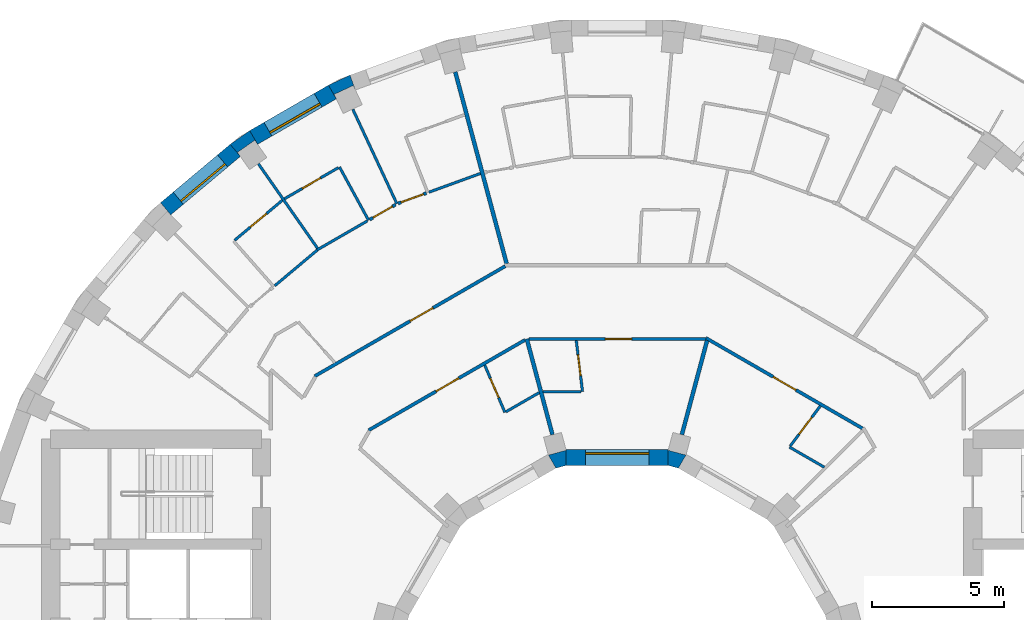
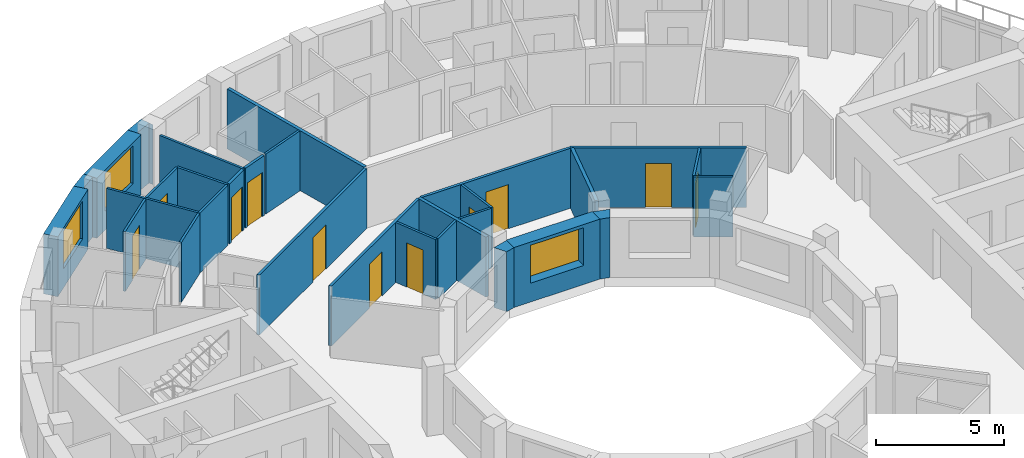
# One storey, part 11 of 15: 30 walls, 11 doors, 3 windows, 14 openings.
"""IFC4 building model written with IfcOpenShell, lengths in metres."""

from ifc_helpers import new_model, si_unit, direction, frame, frame_2d, origin, place, context, subcontext, project, spatial, polyline, rectangle, outline, extrude, material, layer, layer_set, type_object, element, fill, save


model = new_model("IFC4")

# Units and contexts
model_context = context("Model", 3, precision=1e-05, world=origin(), true_north=direction((0.0, 1.0)))
body_context = subcontext(model_context, "Body", "Model", "MODEL_VIEW")
ifc_project = project(units=[si_unit("LENGTHUNIT", "METRE"), si_unit("AREAUNIT", "SQUARE_METRE"), si_unit("VOLUMEUNIT", "CUBIC_METRE"), si_unit("PLANEANGLEUNIT", "RADIAN"), si_unit("MASSUNIT", "GRAM", prefix="KILO")], contexts=[model_context])

# Site, building, storey
site_placement = place(None, origin())
site = spatial("IfcSite", under=ifc_project, at=site_placement, CompositionType="ELEMENT")
building_placement = place(site_placement, origin())
building = spatial("IfcBuilding", under=site, at=building_placement, Name="Saqina Gate Tower", CompositionType="ELEMENT")
storey_placement = place(building_placement, frame((0.0, 0.0, 193.800048828125)))
storey = spatial("IfcBuildingStorey", under=building, at=storey_placement, Name="L55", CompositionType="ELEMENT", Elevation=193.800048828125)

# Walls
ifc_material_1 = material(Name="Brick masonry (buff)", Category="masonry")
wall_type_1 = type_object("IfcWallType", Name="BRICK PIER COPING BUFF", PredefinedType="SOLIDWALL", material=ifc_material_1)
wall_1_placement = place(storey_placement, origin())
element("IfcWall", 1, at=wall_1_placement, inside=storey, type_object=wall_type_1, Name="Pier cap L55 column 12", PredefinedType="SOLIDWALL", context=body_context, shape_type="SweptSolid", body=[
    extrude(outline(polyline([(-10.958740234375, 22.4306640625), (-10.65869140625, 21.9111328125), (-10.73779296875, 22.080810546875), (-10.0126953125, 22.4189453125), (-9.93359375, 22.249267578125), (-10.138916015625, 22.81298828125), (-10.958740234375, 22.4306640625)])), origin(), (0.0, 0.0, 1.0), 2.849853515625),
])
wall_2_placement = place(storey_placement, origin())
element("IfcWall", 2, at=wall_2_placement, inside=storey, type_object=wall_type_1, Name="Pier cap L55 column 13", PredefinedType="SOLIDWALL", context=body_context, shape_type="SweptSolid", body=[
    extrude(outline(polyline([(-13.9462890625, 20.705810546875), (-14.687255859375, 20.18701171875), (-14.301513671875, 19.727294921875), (-14.408935546875, 19.880859375), (-13.753662109375, 20.339599609375), (-13.646240234375, 20.186279296875), (-13.9462890625, 20.705810546875)])), origin(), (0.0, 0.0, 1.0), 2.849853515625),
])

# Wall, opening, window
ifc_material_2 = material(Name="Brick masonry (buff)", Category="masonry")
ifc_layer_1 = layer(ifc_material_2, 0.60009765625)
ifc_layer_set_1 = layer_set([ifc_layer_1], Name="FW-BRICK-BUFF")
wall_type_2 = type_object("IfcWallType", Name="FW-BRICK-BUFF", PredefinedType="SOLIDWALL", material=ifc_layer_set_1)
wall_3_placement = place(storey_placement, frame((-10.80859375, 22.1708984375, 0.0), z_axis=(0.0, 0.0, 1.0), x_axis=(-0.86602648383, -0.499998129301, 0.0)))
wall_3 = element("IfcWall", 3, at=wall_3_placement, inside=storey, type_object=wall_type_2, Name="Facade wall L55 facet 12", PredefinedType="SOLIDWALL", context=body_context, shape_type="SweptSolid", body=[
    extrude(rectangle(XDim=3.44970703125, YDim=0.60009765625, at=frame_2d((1.724853515625, 0.0))), origin(), (0.0, 0.0, 1.0), 2.849853515625),
])
opening_1_placement = place(wall_3_placement, frame((0.625, 0.0, 0.89990234375)))
opening_1 = element("IfcOpeningElement", 4, at=opening_1_placement, cuts=wall_3, Name="Opening G16-W06", PredefinedType="OPENING", context=body_context, shape_type="SweptSolid", body=[
    extrude(rectangle(XDim=2.199951171875, YDim=1.800048828125, at=frame_2d((1.10009765625, 0.89990234375))), frame((0.0, 0.31201171875, 0.0), z_axis=(0.0, -1.0, 0.0), x_axis=(1.0, 0.0, 0.0)), (0.0, 0.0, 1.0), 0.6240234375),
])
ifc_material_3 = material(Name="Aluminium glazing", Category="aluminium")
window_type_1 = type_object("IfcWindowType", Name="WN-C", PartitioningType="SINGLE_PANEL", PredefinedType="WINDOW", material=ifc_material_3)
window_1_placement = place(opening_1_placement, origin())
window_1 = element("IfcWindow", 5, at=window_1_placement, inside=storey, type_object=window_type_1, Name="Window L55 facet 12", OverallHeight=1.800048828125, OverallWidth=2.199951171875, PartitioningType="SINGLE_PANEL", PredefinedType="WINDOW", context=body_context, shape_type="SweptSolid", body=[
    extrude(rectangle(XDim=2.199951171875, YDim=1.800048828125, at=frame_2d((1.10009765625, 0.89990234375))), frame((0.0, 0.179931640625, 0.0), z_axis=(0.0, -1.0, 0.0), x_axis=(1.0, 0.0, 0.0)), (0.0, 0.0, 1.0), 0.06005859375),
])
fill(opening_1, window_1)

wall_4_placement = place(storey_placement, frame((-14.494384765625, 19.95703125, 0.0), z_axis=(0.0, 0.0, 1.0), x_axis=(-0.766058884809, -0.642770398358, 0.0)))
wall_4 = element("IfcWall", 6, at=wall_4_placement, inside=storey, type_object=wall_type_2, Name="Facade wall L55 facet 13", PredefinedType="SOLIDWALL", context=body_context, shape_type="SweptSolid", body=[
    extrude(rectangle(XDim=3.449462890625, YDim=0.60009765625, at=frame_2d((1.724609375, 0.0))), origin(), (0.0, 0.0, 1.0), 2.849853515625),
])
opening_2_placement = place(wall_4_placement, frame((0.625, 0.0, 0.89990234375)))
opening_2 = element("IfcOpeningElement", 7, at=opening_2_placement, cuts=wall_4, Name="Opening G16-W07", PredefinedType="OPENING", context=body_context, shape_type="SweptSolid", body=[
    extrude(rectangle(XDim=2.199951171875, YDim=1.800048828125, at=frame_2d((1.10009765625, 0.89990234375))), frame((0.0, 0.31201171875, 0.0), z_axis=(0.0, -1.0, 0.0), x_axis=(1.0, 0.0, 0.0)), (0.0, 0.0, 1.0), 0.6240234375),
])
window_2_placement = place(opening_2_placement, origin())
window_2 = element("IfcWindow", 8, at=window_2_placement, inside=storey, type_object=window_type_1, Name="Window L55 facet 13", OverallHeight=1.800048828125, OverallWidth=2.199951171875, PartitioningType="SINGLE_PANEL", PredefinedType="WINDOW", context=body_context, shape_type="SweptSolid", body=[
    extrude(rectangle(XDim=2.199951171875, YDim=1.800048828125, at=frame_2d((1.10009765625, 0.89990234375))), frame((0.0, 0.179931640625, 0.0), z_axis=(0.0, -1.0, 0.0), x_axis=(1.0, 0.0, 0.0)), (0.0, 0.0, 1.0), 0.06005859375),
])
fill(opening_2, window_2)

ifc_material_4 = material(Name="Glazed ceramic tile", Category="ceramic")
ifc_layer_2 = layer(ifc_material_4, 0.60009765625)
ifc_layer_set_2 = layer_set([ifc_layer_2], Name="IW-TILE")
wall_type_3 = type_object("IfcWallType", Name="IW-TILE", PredefinedType="SOLIDWALL", material=ifc_layer_set_2)
wall_5_placement = place(storey_placement, frame((1.934814453125, 8.300048828125, 0.0), z_axis=(0.0, 0.0, 1.0), x_axis=(-1.0, 0.0, 0.0)))
wall_5 = element("IfcWall", 9, at=wall_5_placement, inside=storey, type_object=wall_type_3, Name="Well wall L55 facet 3", PredefinedType="SOLIDWALL", context=body_context, shape_type="SweptSolid", body=[
    extrude(rectangle(XDim=3.86962890625, YDim=0.60009765625, at=frame_2d((1.934814453125, 0.0))), origin(), (0.0, 0.0, 1.0), 2.849853515625),
])
opening_3_placement = place(wall_5_placement, frame((0.73486328125, 0.0, 0.89990234375)))
opening_3 = element("IfcOpeningElement", 10, at=opening_3_placement, cuts=wall_5, Name="Opening G16-W25", PredefinedType="OPENING", context=body_context, shape_type="SweptSolid", body=[
    extrude(rectangle(XDim=2.39990234375, YDim=1.800048828125, at=frame_2d((1.199951171875, 0.89990234375))), frame((0.0, 0.31201171875, 0.0), z_axis=(0.0, -1.0, 0.0), x_axis=(1.0, 0.0, 0.0)), (0.0, 0.0, 1.0), 0.6240234375),
])
ifc_material_5 = material(Name="Aluminium glazing", Category="aluminium")
window_type_2 = type_object("IfcWindowType", Name="WN-W", PartitioningType="SINGLE_PANEL", PredefinedType="WINDOW", material=ifc_material_5)
window_3_placement = place(opening_3_placement, origin())
window_3 = element("IfcWindow", 11, at=window_3_placement, inside=storey, type_object=window_type_2, Name="Well window L55 facet 3", OverallHeight=1.800048828125, OverallWidth=2.39990234375, PartitioningType="SINGLE_PANEL", PredefinedType="WINDOW", context=body_context, shape_type="SweptSolid", body=[
    extrude(rectangle(XDim=2.39990234375, YDim=1.800048828125, at=frame_2d((1.199951171875, 0.89990234375))), frame((0.0, -0.119873046875, 0.0), z_axis=(0.0, -1.0, 0.0), x_axis=(1.0, 0.0, 0.0)), (0.0, 0.0, 1.0), 0.06005859375),
])
fill(opening_3, window_3)

# Wall, opening, door
ifc_material_6 = material(Name="Gypsum board on steel studs, 100 mm", Category="steel")
ifc_layer_3 = layer(ifc_material_6, 0.10009765625)
ifc_layer_set_3 = layer_set([ifc_layer_3], Name="PARTITION 100")
wall_type_4 = type_object("IfcWallType", Name="PARTITION 100", PredefinedType="PARTITIONING", material=ifc_layer_set_3)
wall_6_placement = place(storey_placement, frame((-1.551513671875, 12.738037109375, 0.0), z_axis=(0.0, 0.0, 1.0), x_axis=(0.121171579545, -0.992631577329, 0.0)))
wall_6 = element("IfcWall", 12, at=wall_6_placement, inside=storey, type_object=wall_type_4, Name="PARTITION PW3-05", PredefinedType="PARTITIONING", context=body_context, shape_type="SweptSolid", body=[
    extrude(rectangle(XDim=1.952392578125, YDim=0.10009765625, at=frame_2d((0.97607421875, 0.0))), origin(), (0.0, 0.0, 1.0), 2.849853515625),
])
opening_4_placement = place(wall_6_placement, frame((0.544921875, 0.0, 0.0)))
opening_4 = element("IfcOpeningElement", 13, at=opening_4_placement, cuts=wall_6, Name="Opening G16-D18", PredefinedType="OPENING", context=body_context, shape_type="SweptSolid", body=[
    extrude(rectangle(XDim=0.800048828125, YDim=2.10009765625, at=frame_2d((0.39990234375, 1.050048828125))), frame((0.0, 0.06201171875, 0.0), z_axis=(0.0, -1.0, 0.0), x_axis=(1.0, 0.0, 0.0)), (0.0, 0.0, 1.0), 0.1240234375),
])
ifc_material_7 = material(Name="Timber door leaf, 800 mm", Category="wood")
door_type_1 = type_object("IfcDoorType", Name="DOOR 800 TIMBER", OperationType="SINGLE_SWING_LEFT", PredefinedType="DOOR", material=ifc_material_7)
door_1_placement = place(opening_4_placement, origin())
door_1 = element("IfcDoor", 14, at=door_1_placement, inside=storey, type_object=door_type_1, Name="DOOR G16-D18", OperationType="SINGLE_SWING_LEFT", OverallHeight=2.10009765625, OverallWidth=0.800048828125, PredefinedType="DOOR", context=body_context, shape_type="SweptSolid", body=[
    extrude(rectangle(XDim=0.800048828125, YDim=2.10009765625, at=frame_2d((0.39990234375, 1.050048828125))), frame((0.0, 0.02490234375, 0.0), z_axis=(0.0, -1.0, 0.0), x_axis=(1.0, 0.0, 0.0)), (0.0, 0.0, 1.0), 0.050048828125),
])
fill(opening_4, door_1)

wall_7_placement = place(storey_placement, frame((-5.025634765625, 11.806396484375, 0.0), z_axis=(0.0, 0.0, 1.0), x_axis=(0.391834610446, -0.920035672165, 0.0)))
wall_7 = element("IfcWall", 15, at=wall_7_placement, inside=storey, type_object=wall_type_4, Name="PARTITION PW3-12", PredefinedType="PARTITIONING", context=body_context, shape_type="SweptSolid", body=[
    extrude(rectangle(XDim=1.951416015625, YDim=0.10009765625, at=frame_2d((0.9755859375, 0.0))), origin(), (0.0, 0.0, 1.0), 2.849853515625),
])
opening_5_placement = place(wall_7_placement, frame((0.54443359375, 0.0, 0.0)))
opening_5 = element("IfcOpeningElement", 16, at=opening_5_placement, cuts=wall_7, Name="Opening G16-D22", PredefinedType="OPENING", context=body_context, shape_type="SweptSolid", body=[
    extrude(rectangle(XDim=0.800048828125, YDim=2.10009765625, at=frame_2d((0.39990234375, 1.050048828125))), frame((0.0, 0.06201171875, 0.0), z_axis=(0.0, -1.0, 0.0), x_axis=(1.0, 0.0, 0.0)), (0.0, 0.0, 1.0), 0.1240234375),
])
door_2_placement = place(opening_5_placement, frame((0.800048828125, 0.0, 0.0), z_axis=(0.0, 0.0, 1.0), x_axis=(-1.0, 0.0, 0.0)))
door_2 = element("IfcDoor", 17, at=door_2_placement, inside=storey, type_object=door_type_1, Name="DOOR G16-D22", OperationType="SINGLE_SWING_RIGHT", OverallHeight=2.10009765625, OverallWidth=0.800048828125, PredefinedType="DOOR", context=body_context, shape_type="SweptSolid", body=[
    extrude(rectangle(XDim=0.800048828125, YDim=2.10009765625, at=frame_2d((0.39990234375, 1.050048828125))), frame((0.0, 0.02490234375, 0.0), z_axis=(0.0, -1.0, 0.0), x_axis=(1.0, 0.0, 0.0)), (0.0, 0.0, 1.0), 0.050048828125),
])
fill(opening_5, door_2)

# Walls
wall_8_placement = place(storey_placement, frame((-10.032958984375, 21.515869140625, 0.0), z_axis=(0.0, 0.0, 1.0), x_axis=(0.422733584559, -0.90625400219, 0.0)))
element("IfcWall", 18, at=wall_8_placement, inside=storey, type_object=wall_type_4, Name="PARTITION PW3-13", PredefinedType="PARTITIONING", context=body_context, shape_type="SweptSolid", body=[
    extrude(rectangle(XDim=3.960205078125, YDim=0.10009765625, at=frame_2d((1.97998046875, 0.0))), origin(), (0.0, 0.0, 1.0), 2.849853515625),
])
wall_9_placement = place(storey_placement, frame((-10.5380859375, 19.324951171875, 0.0), z_axis=(0.0, 0.0, 1.0), x_axis=(0.478926465157, -0.877855022753, 0.0)))
element("IfcWall", 19, at=wall_9_placement, inside=storey, type_object=wall_type_4, Name="PARTITION PW3-14", PredefinedType="PARTITIONING", context=body_context, shape_type="SweptSolid", body=[
    extrude(rectangle(XDim=2.301025390625, YDim=0.10009765625, at=frame_2d((1.150390625, 0.0))), origin(), (0.0, 0.0, 1.0), 2.849853515625),
])
wall_10_placement = place(storey_placement, frame((-13.616943359375, 19.446533203125, 0.0), z_axis=(0.0, 0.0, 1.0), x_axis=(0.573546149397, -0.819173250608, 0.0)))
element("IfcWall", 20, at=wall_10_placement, inside=storey, type_object=wall_type_4, Name="PARTITION PW3-18", PredefinedType="PARTITIONING", context=body_context, shape_type="SweptSolid", body=[
    extrude(rectangle(XDim=3.91015625, YDim=0.10009765625, at=frame_2d((1.955078125, 0.0))), origin(), (0.0, 0.0, 1.0), 2.849853515625),
])
wall_11_placement = place(storey_placement, frame((6.5390625, 8.696044921875, 0.0), z_axis=(0.0, 0.0, 1.0), x_axis=(0.86577590921, -0.500431888503, 0.0)))
element("IfcWall", 21, at=wall_11_placement, inside=storey, type_object=wall_type_4, Name="PARTITION PW3-38", PredefinedType="PARTITIONING", context=body_context, shape_type="SweptSolid", body=[
    extrude(rectangle(XDim=1.529052734375, YDim=0.10009765625, at=frame_2d((0.7646484375, 0.0))), origin(), (0.0, 0.0, 1.0), 2.849853515625),
])
wall_12_placement = place(storey_placement, frame((-2.819091796875, 10.800048828125, 0.0), z_axis=(0.0, 0.0, 1.0), x_axis=(1.0, 0.0, 0.0)))
element("IfcWall", 22, at=wall_12_placement, inside=storey, type_object=wall_type_4, Name="PARTITION PW3-55", PredefinedType="PARTITIONING", context=body_context, shape_type="SweptSolid", body=[
    extrude(rectangle(XDim=1.4541015625, YDim=0.10009765625, at=frame_2d((0.72705078125, 0.0))), origin(), (0.0, 0.0, 1.0), 2.849853515625),
])
wall_13_placement = place(storey_placement, frame((-7.14404296875, 18.369140625, 0.0), z_axis=(0.0, 0.0, 1.0), x_axis=(0.939728291625, 0.341922122596, 0.0)))
element("IfcWall", 23, at=wall_13_placement, inside=storey, type_object=wall_type_4, Name="PARTITION PW3-65", PredefinedType="PARTITIONING", context=body_context, shape_type="SweptSolid", body=[
    extrude(rectangle(XDim=2.079833984375, YDim=0.10009765625, at=frame_2d((1.0400390625, 0.0))), origin(), (0.0, 0.0, 1.0), 2.849853515625),
])
wall_14_placement = place(storey_placement, frame((-4.2177734375, 10.035888671875, 0.0), z_axis=(0.0, 0.0, 1.0), x_axis=(0.866084894657, 0.499896944627, 0.0)))
element("IfcWall", 24, at=wall_14_placement, inside=storey, type_object=wall_type_4, Name="PARTITION PW3-71", PredefinedType="PARTITIONING", context=body_context, shape_type="SweptSolid", body=[
    extrude(rectangle(XDim=1.453369140625, YDim=0.10009765625, at=frame_2d((0.7265625, 0.0))), origin(), (0.0, 0.0, 1.0), 2.849853515625),
])
wall_15_placement = place(storey_placement, frame((-11.388916015625, 16.177734375, 0.0), z_axis=(0.0, 0.0, 1.0), x_axis=(0.866074964767, 0.499914148034, 0.0)))
element("IfcWall", 25, at=wall_15_placement, inside=storey, type_object=wall_type_4, Name="PARTITION PW3-73", PredefinedType="PARTITIONING", context=body_context, shape_type="SweptSolid", body=[
    extrude(rectangle(XDim=2.205078125, YDim=0.10009765625, at=frame_2d((1.1025390625, 0.0))), origin(), (0.0, 0.0, 1.0), 2.849853515625),
])

# Wall, opening, door
wall_16_placement = place(storey_placement, frame((-12.626708984375, 18.118896484375, 0.0), z_axis=(0.0, 0.0, 1.0), x_axis=(0.865982457891, 0.500074377092, 0.0)))
wall_16 = element("IfcWall", 26, at=wall_16_placement, inside=storey, type_object=wall_type_4, Name="PARTITION PW3-74", PredefinedType="PARTITIONING", context=body_context, shape_type="SweptSolid", body=[
    extrude(rectangle(XDim=2.362060546875, YDim=0.10009765625, at=frame_2d((1.18115234375, 0.0))), origin(), (0.0, 0.0, 1.0), 2.849853515625),
])
opening_6_placement = place(wall_16_placement, frame((0.781005859375, 0.0, 0.0)))
opening_6 = element("IfcOpeningElement", 27, at=opening_6_placement, cuts=wall_16, Name="Opening G16-D27", PredefinedType="OPENING", context=body_context, shape_type="SweptSolid", body=[
    extrude(rectangle(XDim=0.800048828125, YDim=2.10009765625, at=frame_2d((0.39990234375, 1.050048828125))), frame((0.0, 0.06201171875, 0.0), z_axis=(0.0, -1.0, 0.0), x_axis=(1.0, 0.0, 0.0)), (0.0, 0.0, 1.0), 0.1240234375),
])
door_3_placement = place(opening_6_placement, origin())
door_3 = element("IfcDoor", 28, at=door_3_placement, inside=storey, type_object=door_type_1, Name="DOOR G16-D27", OperationType="SINGLE_SWING_LEFT", OverallHeight=2.10009765625, OverallWidth=0.800048828125, PredefinedType="DOOR", context=body_context, shape_type="SweptSolid", body=[
    extrude(rectangle(XDim=0.800048828125, YDim=2.10009765625, at=frame_2d((0.39990234375, 1.050048828125))), frame((0.0, 0.02490234375, 0.0), z_axis=(0.0, -1.0, 0.0), x_axis=(1.0, 0.0, 0.0)), (0.0, 0.0, 1.0), 0.050048828125),
])
fill(opening_6, door_3)

# Wall
wall_17_placement = place(storey_placement, frame((-12.99560546875, 14.818115234375, 0.0), z_axis=(0.0, 0.0, 1.0), x_axis=(0.766068087891, 0.642759429892, 0.0)))
element("IfcWall", 29, at=wall_17_placement, inside=storey, type_object=wall_type_4, Name="PARTITION PW3-77", PredefinedType="PARTITIONING", context=body_context, shape_type="SweptSolid", body=[
    extrude(rectangle(XDim=2.104736328125, YDim=0.10009765625, at=frame_2d((1.05224609375, 0.0))), origin(), (0.0, 0.0, 1.0), 2.849853515625),
])

# Wall, opening, door
wall_18_placement = place(storey_placement, frame((-14.517578125, 16.544189453125, 0.0), z_axis=(0.0, 0.0, 1.0), x_axis=(0.766175122772, 0.642631839583, 0.0)))
wall_18 = element("IfcWall", 30, at=wall_18_placement, inside=storey, type_object=wall_type_4, Name="PARTITION PW3-78", PredefinedType="PARTITIONING", context=body_context, shape_type="SweptSolid", body=[
    extrude(rectangle(XDim=2.361572265625, YDim=0.10009765625, at=frame_2d((1.1806640625, 0.0))), origin(), (0.0, 0.0, 1.0), 2.849853515625),
])
opening_7_placement = place(wall_18_placement, frame((0.78076171875, 0.0, 0.0)))
opening_7 = element("IfcOpeningElement", 31, at=opening_7_placement, cuts=wall_18, Name="Opening G16-D28", PredefinedType="OPENING", context=body_context, shape_type="SweptSolid", body=[
    extrude(rectangle(XDim=0.800048828125, YDim=2.10009765625, at=frame_2d((0.39990234375, 1.050048828125))), frame((0.0, 0.06201171875, 0.0), z_axis=(0.0, -1.0, 0.0), x_axis=(1.0, 0.0, 0.0)), (0.0, 0.0, 1.0), 0.1240234375),
])
door_4_placement = place(opening_7_placement, origin())
door_4 = element("IfcDoor", 32, at=door_4_placement, inside=storey, type_object=door_type_1, Name="DOOR G16-D28", OperationType="SINGLE_SWING_LEFT", OverallHeight=2.10009765625, OverallWidth=0.800048828125, PredefinedType="DOOR", context=body_context, shape_type="SweptSolid", body=[
    extrude(rectangle(XDim=0.800048828125, YDim=2.10009765625, at=frame_2d((0.39990234375, 1.050048828125))), frame((0.0, 0.02490234375, 0.0), z_axis=(0.0, -1.0, 0.0), x_axis=(1.0, 0.0, 0.0)), (0.0, 0.0, 1.0), 0.050048828125),
])
fill(opening_7, door_4)

wall_19_placement = place(storey_placement, frame((6.569091796875, 8.73583984375, 0.0), z_axis=(0.0, 0.0, 1.0), x_axis=(0.601088130312, 0.799182744808, 0.0)))
wall_19 = element("IfcWall", 33, at=wall_19_placement, inside=storey, type_object=wall_type_4, Name="PARTITION PW3-85", PredefinedType="PARTITIONING", context=body_context, shape_type="SweptSolid", body=[
    extrude(rectangle(XDim=1.901611328125, YDim=0.10009765625, at=frame_2d((0.95068359375, 0.0))), origin(), (0.0, 0.0, 1.0), 2.849853515625),
])
opening_8_placement = place(wall_19_placement, frame((0.557373046875, 0.0, 0.0)))
opening_8 = element("IfcOpeningElement", 34, at=opening_8_placement, cuts=wall_19, Name="Opening G16-D04", PredefinedType="OPENING", context=body_context, shape_type="SweptSolid", body=[
    extrude(rectangle(XDim=0.800048828125, YDim=2.10009765625, at=frame_2d((0.39990234375, 1.050048828125))), frame((0.0, 0.06201171875, 0.0), z_axis=(0.0, -1.0, 0.0), x_axis=(1.0, 0.0, 0.0)), (0.0, 0.0, 1.0), 0.1240234375),
])
door_5_placement = place(opening_8_placement, origin())
door_5 = element("IfcDoor", 35, at=door_5_placement, inside=storey, type_object=door_type_1, Name="DOOR G16-D04", OperationType="SINGLE_SWING_RIGHT", OverallHeight=2.10009765625, OverallWidth=0.800048828125, PredefinedType="DOOR", context=body_context, shape_type="SweptSolid", body=[
    extrude(rectangle(XDim=0.800048828125, YDim=2.10009765625, at=frame_2d((0.39990234375, 1.050048828125))), frame((0.0, 0.02490234375, 0.0), z_axis=(0.0, -1.0, 0.0), x_axis=(1.0, 0.0, 0.0)), (0.0, 0.0, 1.0), 0.050048828125),
])
fill(opening_8, door_5)

ifc_material_8 = material(Name="Gypsum board on steel studs, 125 mm, fire rated", Category="steel")
ifc_layer_4 = layer(ifc_material_8, 0.125)
ifc_layer_set_4 = layer_set([ifc_layer_4], Name="PARTITION EI 30 125")
wall_type_5 = type_object("IfcWallType", Name="PARTITION EI 30 125", PredefinedType="PARTITIONING", material=ifc_layer_set_4)
wall_20_placement = place(storey_placement, frame((3.367431640625, 12.836181640625, 0.0), z_axis=(0.0, 0.0, 1.0), x_axis=(0.865996765544, -0.500049599607, 0.0)))
wall_20 = element("IfcWall", 36, at=wall_20_placement, inside=storey, type_object=wall_type_5, Name="PARTITION PW1-15", PredefinedType="PARTITIONING", context=body_context, shape_type="SweptSolid", body=[
    extrude(rectangle(XDim=6.868896484375, YDim=0.125, at=frame_2d((3.4345703125, 0.0))), origin(), (0.0, 0.0, 1.0), 2.849853515625),
])
opening_9_placement = place(wall_20_placement, frame((2.950927734375, 0.0, 0.0)))
opening_9 = element("IfcOpeningElement", 37, at=opening_9_placement, cuts=wall_20, Name="Opening G16-D06", PredefinedType="OPENING", context=body_context, shape_type="SweptSolid", body=[
    extrude(rectangle(XDim=1.0, YDim=2.10009765625, at=frame_2d((0.5, 1.050048828125))), frame((0.0, 0.074462890625, 0.0), z_axis=(0.0, -1.0, 0.0), x_axis=(1.0, 0.0, 0.0)), (0.0, 0.0, 1.0), 0.14892578125),
])
ifc_material_9 = material(Name="Fire door leaf EI 30, 1000 mm")
door_type_2 = type_object("IfcDoorType", Name="DOOR 1000 EI 30", OperationType="SINGLE_SWING_LEFT", PredefinedType="DOOR", material=ifc_material_9)
door_6_placement = place(opening_9_placement, frame((1.0, 0.0, 0.0), z_axis=(0.0, 0.0, 1.0), x_axis=(-1.0, 0.0, 0.0)))
door_6 = element("IfcDoor", 38, at=door_6_placement, inside=storey, type_object=door_type_2, Name="DOOR G16-D06", OperationType="SINGLE_SWING_LEFT", OverallHeight=2.10009765625, OverallWidth=1.0, PredefinedType="DOOR", context=body_context, shape_type="SweptSolid", body=[
    extrude(rectangle(XDim=1.0, YDim=2.10009765625, at=frame_2d((0.5, 1.050048828125))), frame((0.0, 0.02490234375, 0.0), z_axis=(0.0, -1.0, 0.0), x_axis=(1.0, 0.0, 0.0)), (0.0, 0.0, 1.0), 0.050048828125),
])
fill(opening_9, door_6)

wall_21_placement = place(storey_placement, frame((-3.35498046875, 12.800048828125, 0.0), z_axis=(0.0, 0.0, 1.0), x_axis=(1.0, 0.0, 0.0)))
wall_21 = element("IfcWall", 39, at=wall_21_placement, inside=storey, type_object=wall_type_5, Name="PARTITION PW1-25", PredefinedType="PARTITIONING", context=body_context, shape_type="SweptSolid", body=[
    extrude(rectangle(XDim=6.722412109375, YDim=0.125, at=frame_2d((3.361328125, 0.0))), origin(), (0.0, 0.0, 1.0), 2.849853515625),
])
opening_10_placement = place(wall_21_placement, frame((2.905517578125, 0.0, 0.0)))
opening_10 = element("IfcOpeningElement", 40, at=opening_10_placement, cuts=wall_21, Name="Opening G16-D16", PredefinedType="OPENING", context=body_context, shape_type="SweptSolid", body=[
    extrude(rectangle(XDim=1.0, YDim=2.10009765625, at=frame_2d((0.5, 1.050048828125))), frame((0.0, 0.074462890625, 0.0), z_axis=(0.0, -1.0, 0.0), x_axis=(1.0, 0.0, 0.0)), (0.0, 0.0, 1.0), 0.14892578125),
])
door_7_placement = place(opening_10_placement, frame((1.0, 0.0, 0.0), z_axis=(0.0, 0.0, 1.0), x_axis=(-1.0, 0.0, 0.0)))
door_7 = element("IfcDoor", 41, at=door_7_placement, inside=storey, type_object=door_type_2, Name="DOOR G16-D16", OperationType="SINGLE_SWING_LEFT", OverallHeight=2.10009765625, OverallWidth=1.0, PredefinedType="DOOR", context=body_context, shape_type="SweptSolid", body=[
    extrude(rectangle(XDim=1.0, YDim=2.10009765625, at=frame_2d((0.5, 1.050048828125))), frame((0.0, 0.02490234375, 0.0), z_axis=(0.0, -1.0, 0.0), x_axis=(1.0, 0.0, 0.0)), (0.0, 0.0, 1.0), 0.050048828125),
])
fill(opening_10, door_7)

wall_22_placement = place(storey_placement, frame((-8.31201171875, 17.944091796875, 0.0), z_axis=(0.0, 0.0, 1.0), x_axis=(0.939699833517, 0.34200032586, 0.0)))
wall_22 = element("IfcWall", 42, at=wall_22_placement, inside=storey, type_object=wall_type_5, Name="PARTITION PW1-31", PredefinedType="PARTITIONING", context=body_context, shape_type="SweptSolid", body=[
    extrude(rectangle(XDim=1.142822265625, YDim=0.125, at=frame_2d((0.5712890625, 0.0))), origin(), (0.0, 0.0, 1.0), 2.849853515625),
])
opening_11_placement = place(wall_22_placement, frame((0.12158203125, 0.0, 0.0)))
opening_11 = element("IfcOpeningElement", 43, at=opening_11_placement, cuts=wall_22, Name="Opening G16-D23", PredefinedType="OPENING", context=body_context, shape_type="SweptSolid", body=[
    extrude(rectangle(XDim=0.89990234375, YDim=2.10009765625, at=frame_2d((0.449951171875, 1.050048828125))), frame((0.0, 0.074462890625, 0.0), z_axis=(0.0, -1.0, 0.0), x_axis=(1.0, 0.0, 0.0)), (0.0, 0.0, 1.0), 0.14892578125),
])
ifc_material_10 = material(Name="Fire door leaf EI 30, 900 mm")
door_type_3 = type_object("IfcDoorType", Name="DOOR 900 EI 30", OperationType="SINGLE_SWING_LEFT", PredefinedType="DOOR", material=ifc_material_10)
door_8_placement = place(opening_11_placement, frame((0.89990234375, 0.0, 0.0), z_axis=(0.0, 0.0, 1.0), x_axis=(-1.0, 0.0, 0.0)))
door_8 = element("IfcDoor", 44, at=door_8_placement, inside=storey, type_object=door_type_3, Name="DOOR G16-D23", OperationType="SINGLE_SWING_RIGHT", OverallHeight=2.10009765625, OverallWidth=0.89990234375, PredefinedType="DOOR", context=body_context, shape_type="SweptSolid", body=[
    extrude(rectangle(XDim=0.89990234375, YDim=2.10009765625, at=frame_2d((0.449951171875, 1.050048828125))), frame((0.0, 0.02490234375, 0.0), z_axis=(0.0, -1.0, 0.0), x_axis=(1.0, 0.0, 0.0)), (0.0, 0.0, 1.0), 0.050048828125),
])
fill(opening_11, door_8)

wall_23_placement = place(storey_placement, frame((-9.432373046875, 9.333984375, 0.0), z_axis=(0.0, 0.0, 1.0), x_axis=(0.865997009199, 0.500049177639, 0.0)))
wall_23 = element("IfcWall", 45, at=wall_23_placement, inside=storey, type_object=wall_type_5, Name="PARTITION PW1-35", PredefinedType="PARTITIONING", context=body_context, shape_type="SweptSolid", body=[
    extrude(rectangle(XDim=6.856201171875, YDim=0.125, at=frame_2d((3.42822265625, 0.0))), origin(), (0.0, 0.0, 1.0), 2.849853515625),
])
opening_12_placement = place(wall_23_placement, frame((2.950927734375, 0.0, 0.0)))
opening_12 = element("IfcOpeningElement", 46, at=opening_12_placement, cuts=wall_23, Name="Opening G16-D26", PredefinedType="OPENING", context=body_context, shape_type="SweptSolid", body=[
    extrude(rectangle(XDim=1.0, YDim=2.10009765625, at=frame_2d((0.5, 1.050048828125))), frame((0.0, 0.074462890625, 0.0), z_axis=(0.0, -1.0, 0.0), x_axis=(1.0, 0.0, 0.0)), (0.0, 0.0, 1.0), 0.14892578125),
])
door_9_placement = place(opening_12_placement, frame((1.0, 0.0, 0.0), z_axis=(0.0, 0.0, 1.0), x_axis=(-1.0, 0.0, 0.0)))
door_9 = element("IfcDoor", 47, at=door_9_placement, inside=storey, type_object=door_type_2, Name="DOOR G16-D26", OperationType="SINGLE_SWING_LEFT", OverallHeight=2.10009765625, OverallWidth=1.0, PredefinedType="DOOR", context=body_context, shape_type="SweptSolid", body=[
    extrude(rectangle(XDim=1.0, YDim=2.10009765625, at=frame_2d((0.5, 1.050048828125))), frame((0.0, 0.02490234375, 0.0), z_axis=(0.0, -1.0, 0.0), x_axis=(1.0, 0.0, 0.0)), (0.0, 0.0, 1.0), 0.050048828125),
])
fill(opening_12, door_9)

wall_24_placement = place(storey_placement, frame((-11.482421875, 11.384033203125, 0.0), z_axis=(0.0, 0.0, 1.0), x_axis=(0.866032345022, 0.499987977232, 0.0)))
wall_24 = element("IfcWall", 48, at=wall_24_placement, inside=storey, type_object=wall_type_5, Name="PARTITION PW1-36", PredefinedType="PARTITIONING", context=body_context, shape_type="SweptSolid", body=[
    extrude(rectangle(XDim=8.357177734375, YDim=0.125, at=frame_2d((4.1787109375, 0.0))), origin(), (0.0, 0.0, 1.0), 2.849853515625),
])
opening_13_placement = place(wall_24_placement, frame((4.18408203125, 0.0, 0.0)))
opening_13 = element("IfcOpeningElement", 49, at=opening_13_placement, cuts=wall_24, Name="Opening G16-D25", PredefinedType="OPENING", context=body_context, shape_type="SweptSolid", body=[
    extrude(rectangle(XDim=1.0, YDim=2.10009765625, at=frame_2d((0.5, 1.050048828125))), frame((0.0, 0.074462890625, 0.0), z_axis=(0.0, -1.0, 0.0), x_axis=(1.0, 0.0, 0.0)), (0.0, 0.0, 1.0), 0.14892578125),
])
door_10_placement = place(opening_13_placement, origin())
door_10 = element("IfcDoor", 50, at=door_10_placement, inside=storey, type_object=door_type_2, Name="DOOR G16-D25", OperationType="SINGLE_SWING_RIGHT", OverallHeight=2.10009765625, OverallWidth=1.0, PredefinedType="DOOR", context=body_context, shape_type="SweptSolid", body=[
    extrude(rectangle(XDim=1.0, YDim=2.10009765625, at=frame_2d((0.5, 1.050048828125))), frame((0.0, 0.02490234375, 0.0), z_axis=(0.0, -1.0, 0.0), x_axis=(1.0, 0.0, 0.0)), (0.0, 0.0, 1.0), 0.050048828125),
])
fill(opening_13, door_10)

wall_25_placement = place(storey_placement, frame((-9.392822265625, 17.330078125, 0.0), z_axis=(0.0, 0.0, 1.0), x_axis=(0.866016678684, 0.500015112013, 0.0)))
wall_25 = element("IfcWall", 51, at=wall_25_placement, inside=storey, type_object=wall_type_5, Name="PARTITION PW1-37", PredefinedType="PARTITIONING", context=body_context, shape_type="SweptSolid", body=[
    extrude(rectangle(XDim=1.13134765625, YDim=0.125, at=frame_2d((0.565673828125, 0.0))), origin(), (0.0, 0.0, 1.0), 2.849853515625),
])
opening_14_placement = place(wall_25_placement, frame((0.14697265625, 0.0, 0.0)))
opening_14 = element("IfcOpeningElement", 52, at=opening_14_placement, cuts=wall_25, Name="Opening G16-D24", PredefinedType="OPENING", context=body_context, shape_type="SweptSolid", body=[
    extrude(rectangle(XDim=0.85009765625, YDim=2.10009765625, at=frame_2d((0.425048828125, 1.050048828125))), frame((0.0, 0.074462890625, 0.0), z_axis=(0.0, -1.0, 0.0), x_axis=(1.0, 0.0, 0.0)), (0.0, 0.0, 1.0), 0.14892578125),
])
ifc_material_11 = material(Name="Fire door leaf EI 30, 850 mm")
door_type_4 = type_object("IfcDoorType", Name="DOOR 850 EI 30", OperationType="SINGLE_SWING_LEFT", PredefinedType="DOOR", material=ifc_material_11)
door_11_placement = place(opening_14_placement, frame((0.85009765625, 0.0, 0.0), z_axis=(0.0, 0.0, 1.0), x_axis=(-1.0, 0.0, 0.0)))
door_11 = element("IfcDoor", 53, at=door_11_placement, inside=storey, type_object=door_type_4, Name="DOOR G16-D24", OperationType="SINGLE_SWING_LEFT", OverallHeight=2.10009765625, OverallWidth=0.85009765625, PredefinedType="DOOR", context=body_context, shape_type="SweptSolid", body=[
    extrude(rectangle(XDim=0.85009765625, YDim=2.10009765625, at=frame_2d((0.425048828125, 1.050048828125))), frame((0.0, 0.02490234375, 0.0), z_axis=(0.0, -1.0, 0.0), x_axis=(1.0, 0.0, 0.0)), (0.0, 0.0, 1.0), 0.050048828125),
])
fill(opening_14, door_11)

# Walls
ifc_material_12 = material(Name="Gypsum board on steel studs, 150 mm, fire rated", Category="steel")
ifc_layer_5 = layer(ifc_material_12, 0.14990234375)
ifc_layer_set_5 = layer_set([ifc_layer_5], Name="PARTITION EI 60 150")
wall_type_6 = type_object("IfcWallType", Name="PARTITION EI 60 150", PredefinedType="PARTITIONING", material=ifc_layer_set_5)
wall_26_placement = place(storey_placement, frame((-6.14453125, 22.93115234375, 0.0), z_axis=(0.0, 0.0, 1.0), x_axis=(0.258855512824, -0.965916054055, 0.0)))
element("IfcWall", 54, at=wall_26_placement, inside=storey, type_object=wall_type_6, Name="PARTITION PW2-01", PredefinedType="PARTITIONING", context=body_context, shape_type="SweptSolid", body=[
    extrude(rectangle(XDim=7.52734375, YDim=0.14990234375, at=frame_2d((3.763671875, 0.0))), origin(), (0.0, 0.0, 1.0), 2.849853515625),
])
wall_27_placement = place(storey_placement, frame((-3.429931640625, 12.800048828125, 0.0), z_axis=(0.0, 0.0, 1.0), x_axis=(0.258850776571, -0.965917323309, 0.0)))
element("IfcWall", 55, at=wall_27_placement, inside=storey, type_object=wall_type_6, Name="PARTITION PW2-02", PredefinedType="PARTITIONING", context=body_context, shape_type="SweptSolid", body=[
    extrude(rectangle(XDim=3.759521484375, YDim=0.14990234375, at=frame_2d((1.8798828125, 0.0))), origin(), (0.0, 0.0, 1.0), 2.849853515625),
])
wall_28_placement = place(storey_placement, frame((2.45703125, 9.168701171875, 0.0), z_axis=(0.0, 0.0, 1.0), x_axis=(0.258739386172, 0.965947167315, 0.0)))
element("IfcWall", 56, at=wall_28_placement, inside=storey, type_object=wall_type_6, Name="PARTITION PW2-08", PredefinedType="PARTITIONING", context=body_context, shape_type="SweptSolid", body=[
    extrude(rectangle(XDim=3.697021484375, YDim=0.14990234375, at=frame_2d((1.8486328125, 0.0))), origin(), (0.0, 0.0, 1.0), 2.849853515625),
])
ifc_material_13 = material(Name="Glazed ceramic tile", Category="ceramic")
wall_type_7 = type_object("IfcWallType", Name="TILE PIER COPING", PredefinedType="SOLIDWALL", material=ifc_material_13)
wall_29_placement = place(storey_placement, origin())
element("IfcWall", 57, at=wall_29_placement, inside=storey, type_object=wall_type_7, Name="Well pier cap L55 column 3", PredefinedType="SOLIDWALL", context=body_context, shape_type="SweptSolid", body=[
    extrude(outline(polyline([(1.934814453125, 8.573486328125), (1.934814453125, 8.0), (2.32421875, 7.895751953125), (2.611083984375, 8.392333984375), (1.934814453125, 8.573486328125)])), origin(), (0.0, 0.0, 1.0), 2.849853515625),
])
wall_30_placement = place(storey_placement, origin())
element("IfcWall", 58, at=wall_30_placement, inside=storey, type_object=wall_type_7, Name="Well pier cap L55 column 4", PredefinedType="SOLIDWALL", context=body_context, shape_type="SweptSolid", body=[
    extrude(outline(polyline([(-1.934814453125, 8.0), (-1.934814453125, 8.573486328125), (-2.611083984375, 8.392333984375), (-2.32421875, 7.895751953125), (-1.934814453125, 8.0)])), origin(), (0.0, 0.0, 1.0), 2.849853515625),
])

save(model, "model.ifc")
